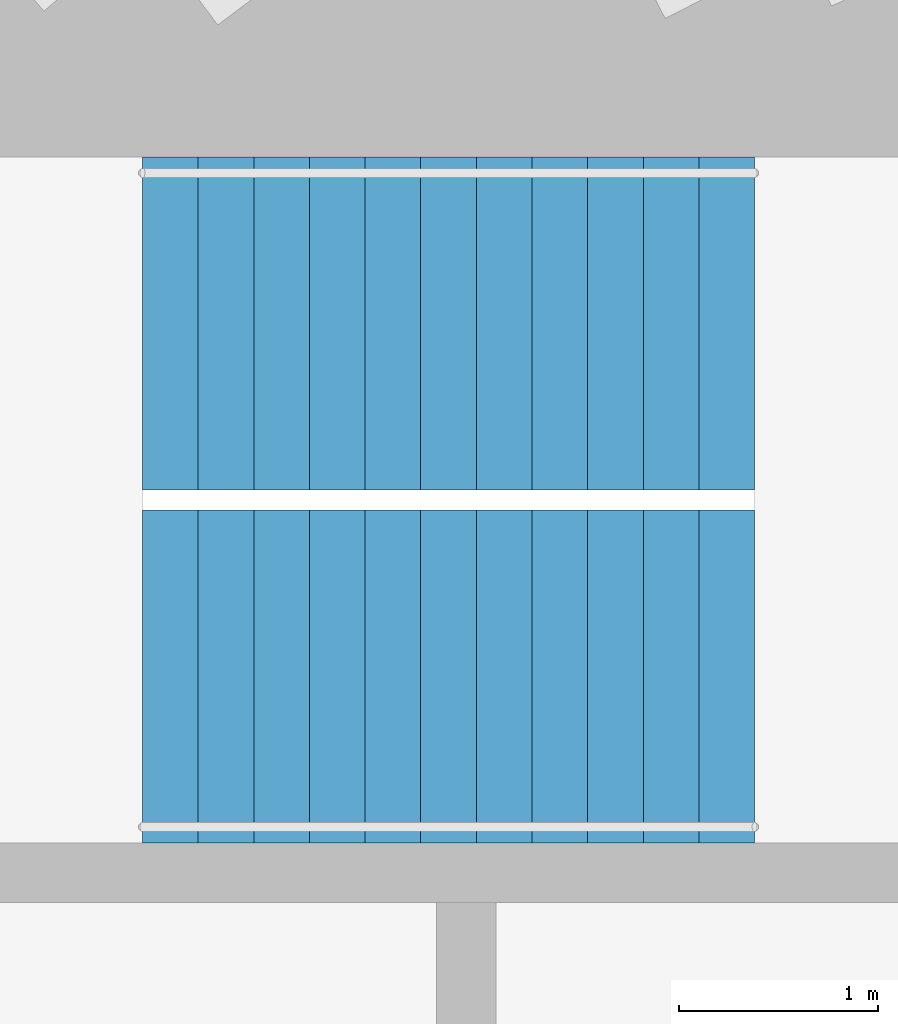
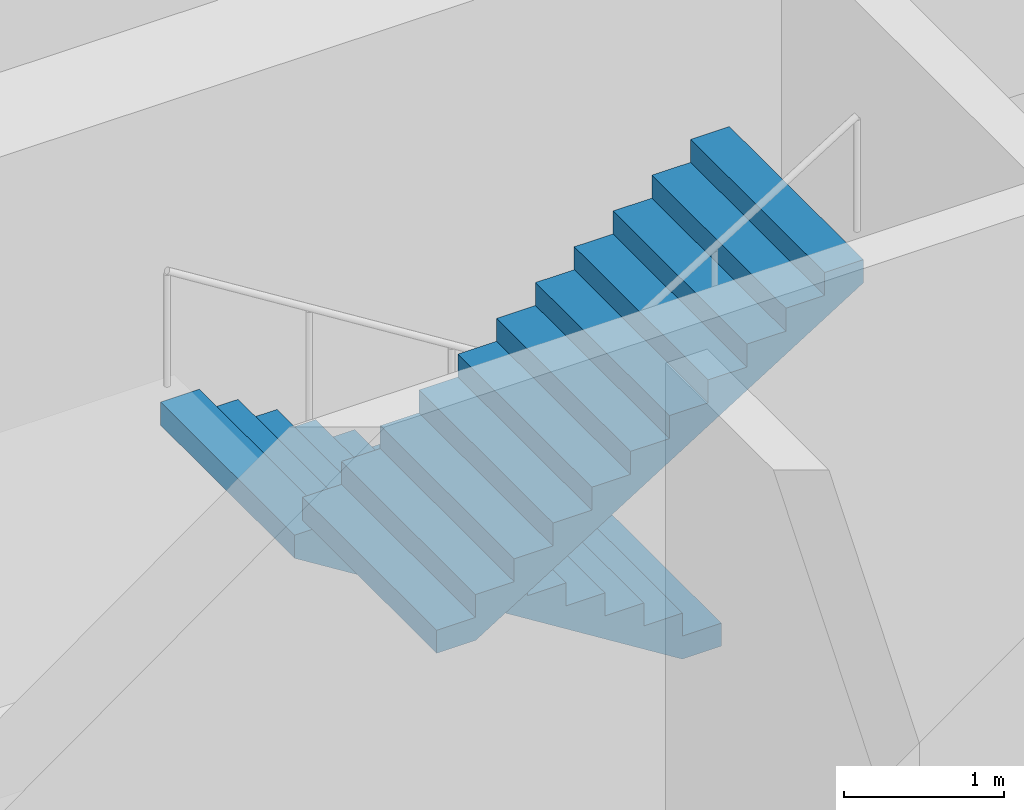
# One storey, part 16 of 17: 2 stair flights, 1 element without a shape of its own.
"""IFC4 building model written with IfcOpenShell, lengths in metres."""

import ifcopenshell
import ifcopenshell.guid

model = None  # the IFC model being written
_history = None  # IfcOwnerHistory: only IFC2X3 demands one
_inside = {}  # id of a spatial element -> (the spatial element, [elements in it])
_under = {}  # id of a project, library or spatial element -> (it, [spatial elements below it])
_declared = {}  # id of a project -> (the project, [libraries it declares])
_typed = {}  # id of a type object -> (the type object, [elements of that type])
_made_of = {}  # id of a material, layer set ... -> (it, [elements and type objects made of it])


def new_model(schema):
    """Start an empty IFC model of exactly this schema.

    Asked for "IFC4X3", IfcOpenShell would pick the latest addendum, in which some entities
    have other attributes; the version numbers below select the first issue.
    IFC2X3 requires an IfcOwnerHistory on every rooted entity: one is made here for all.
    """
    global model, _history
    if schema == "IFC4X3":
        model = ifcopenshell.file(schema_version=(4, 3, 0, 0))
    else:
        model = ifcopenshell.file(schema=schema)
    _inside.clear()
    _under.clear()
    _declared.clear()
    _typed.clear()
    _made_of.clear()
    _history = None
    if model.schema == "IFC2X3":
        org = make("IfcOrganization", Name="unknown")
        user = make(
            "IfcPersonAndOrganization",
            ThePerson=make("IfcPerson", FamilyName="unknown"),
            TheOrganization=org,
        )
        app = make(
            "IfcApplication",
            ApplicationDeveloper=org,
            Version="unknown",
            ApplicationFullName="unknown",
            ApplicationIdentifier="unknown",
        )
        _history = make(
            "IfcOwnerHistory",
            OwningUser=user,
            OwningApplication=app,
            ChangeAction="ADDED",
            CreationDate=0,
        )
    return model


def make(cls, **values):
    """One entity of the class cls with the attributes given. An attribute that is None is left unset."""
    return model.create_entity(
        cls, **{name: value for name, value in values.items() if value is not None}
    )


def rooted(cls, **values):
    """An entity with a GlobalId (a new one), such as an element, a storey or a relation."""
    return make(cls, GlobalId=ifcopenshell.guid.new(), OwnerHistory=_history, **values)


def si_unit(unit_type, name, prefix=None):
    """IfcSIUnit, for example si_unit("LENGTHUNIT", "METRE", prefix="MILLI")."""
    return make("IfcSIUnit", UnitType=unit_type, Prefix=prefix, Name=name)


def assignment(units):
    """IfcUnitAssignment: the units of a project."""
    return None if units is None else make("IfcUnitAssignment", Units=units)


def point(xyz):
    """IfcCartesianPoint."""
    return None if xyz is None else make("IfcCartesianPoint", Coordinates=xyz)


def direction(xyz):
    """IfcDirection."""
    return None if xyz is None else make("IfcDirection", DirectionRatios=xyz)


def frame(location, z_axis=None, x_axis=None):
    """IfcAxis2Placement3D, a coordinate frame: its origin and axes. An axis left out is left unset."""
    return make(
        "IfcAxis2Placement3D",
        Location=point(location),
        Axis=direction(z_axis),
        RefDirection=direction(x_axis),
    )


def origin():
    """The frame at (0, 0, 0) with its axes left unset."""
    return frame((0.0, 0.0, 0.0))


def place(relative_to, where):
    """IfcLocalPlacement: puts the frame where relative to a parent placement (None: the world)."""
    return make(
        "IfcLocalPlacement", PlacementRelTo=relative_to, RelativePlacement=where
    )


def context(
    kind, dimensions, precision=None, world=None, true_north=None, identifier=None
):
    """IfcGeometricRepresentationContext, for example the 3D "Model" context."""
    return make(
        "IfcGeometricRepresentationContext",
        ContextIdentifier=identifier,
        ContextType=kind,
        CoordinateSpaceDimension=dimensions,
        Precision=precision,
        WorldCoordinateSystem=world,
        TrueNorth=true_north,
    )


def subcontext(parent, identifier, kind, view, scale=None):
    """IfcGeometricRepresentationSubContext, for example "Body" below "Model"."""
    return make(
        "IfcGeometricRepresentationSubContext",
        ContextIdentifier=identifier,
        ContextType=kind,
        ParentContext=parent,
        TargetScale=scale,
        TargetView=view,
    )


def project(units=None, contexts=None):
    """IfcProject with its units and contexts."""
    return rooted(
        "IfcProject",
        Name="project",
        RepresentationContexts=contexts,
        UnitsInContext=assignment(units),
    )


def spatial(cls, under=None, at=None, **own):
    """A site, building, storey or space (cls), placed at a placement, below another one or the project."""
    s = rooted(cls, ObjectPlacement=at, **own)
    if under is not None:
        _under.setdefault(under.id(), (under, []))[1].append(s)
    return s


def polyline(points):
    """IfcPolyline through the points."""
    return make("IfcPolyline", Points=[point(p) for p in points])


def outline(outer, holes=None, kind="AREA"):
    """IfcArbitraryClosedProfileDef: a profile drawn as a closed curve; with holes, ...WithVoids."""
    if holes is None:
        return make("IfcArbitraryClosedProfileDef", ProfileType=kind, OuterCurve=outer)
    return make(
        "IfcArbitraryProfileDefWithVoids",
        ProfileType=kind,
        OuterCurve=outer,
        InnerCurves=holes,
    )


def extrude(swept, where, along, depth):
    """IfcExtrudedAreaSolid: the profile swept, set in the frame where, extruded along a direction by depth."""
    return make(
        "IfcExtrudedAreaSolid",
        SweptArea=swept,
        Position=where,
        ExtrudedDirection=direction(along),
        Depth=depth,
    )


def shape(context_of_items, identifier, shape_type, items):
    """IfcShapeRepresentation: the items that make up one representation, for example the "Body"."""
    return make(
        "IfcShapeRepresentation",
        ContextOfItems=context_of_items,
        RepresentationIdentifier=identifier,
        RepresentationType=shape_type,
        Items=items,
    )


def material(Name=None, Category=None):
    """IfcMaterial."""
    return make("IfcMaterial", Name=Name, Category=Category)


def made_of(thing, what):
    """Note that an element or type object is made of a material, layer set ...; save() writes the relation."""
    if what is not None:
        _made_of.setdefault(what.id(), (what, []))[1].append(thing)
    return thing


def type_object(cls, material=None, **own):
    """A type object (cls), such as IfcWallType, which elements share."""
    return made_of(rooted(cls, **own), material)


def element(
    cls,
    number,
    at=None,
    inside=None,
    cuts=None,
    type_object=None,
    material=None,
    context=None,
    identifier="Body",
    shape_type=None,
    held_by="IfcProductDefinitionShape",
    body=None,
    shapes=None,
    **own,
):
    """One element of the class cls, such as IfcWall. Its Tag is "e" and its number.

    at: its placement. inside: the storey or other place that contains it. cuts: it is an
    opening in that element (IfcRelVoidsElement). A single representation is given by context,
    identifier, shape_type and body (its items); several are given by shapes. held_by: the class
    of the entity that holds the representations. save() writes the other relations.
    """
    e = rooted(cls, Tag="e%d" % number, ObjectPlacement=at, **own)
    if body is not None:
        shapes = [shape(context, identifier, shape_type, body)]
    if shapes is not None:
        e.Representation = make(held_by, Representations=shapes)
    if inside is not None:
        _inside.setdefault(inside.id(), (inside, []))[1].append(e)
    if cuts is not None:
        rooted(
            "IfcRelVoidsElement", RelatingBuildingElement=cuts, RelatedOpeningElement=e
        )
    if type_object is not None:
        _typed.setdefault(type_object.id(), (type_object, []))[1].append(e)
    return made_of(e, material)


def aggregate(whole, parts):
    """IfcRelAggregates: a whole, such as a stair, and the parts it consists of."""
    return rooted("IfcRelAggregates", RelatingObject=whole, RelatedObjects=parts)


def save(model, path):
    """Write the relations noted so far, then the file.

    IfcRelAggregates (storeys below a building ...), IfcRelContainedInSpatialStructure (elements
    in a storey), IfcRelDefinesByType, IfcRelAssociatesMaterial and IfcRelDeclares: one each for
    every whole, place, type object, material and project.
    """
    for whole, parts in _under.values():
        aggregate(whole, parts)
    for where, things in _inside.values():
        rooted(
            "IfcRelContainedInSpatialStructure",
            RelatedElements=things,
            RelatingStructure=where,
        )
    for kind, things in _typed.values():
        rooted("IfcRelDefinesByType", RelatedObjects=things, RelatingType=kind)
    for what, things in _made_of.values():
        rooted("IfcRelAssociatesMaterial", RelatedObjects=things, RelatingMaterial=what)
    for by, libraries in _declared.values():
        rooted("IfcRelDeclares", RelatingContext=by, RelatedDefinitions=libraries)
    model.write(path)


model = new_model("IFC4")

# Units and contexts
model_context = context("Model", 3, precision=1e-05, world=origin(), true_north=direction((0.0, 1.0)))
body_context = subcontext(model_context, "Body", "Model", "MODEL_VIEW")
ifc_project = project(units=[si_unit("LENGTHUNIT", "METRE"), si_unit("AREAUNIT", "SQUARE_METRE"), si_unit("VOLUMEUNIT", "CUBIC_METRE"), si_unit("PLANEANGLEUNIT", "RADIAN"), si_unit("MASSUNIT", "GRAM", prefix="KILO")], contexts=[model_context])

# Site, building, storey
site_placement = place(None, origin())
site = spatial("IfcSite", under=ifc_project, at=site_placement, CompositionType="ELEMENT")
building_placement = place(site_placement, origin())
building = spatial("IfcBuilding", under=site, at=building_placement, Name="Qingtian Harvest Tower", CompositionType="ELEMENT")
storey_placement = place(building_placement, frame((0.0, 0.0, 329.199951171875)))
storey = spatial("IfcBuildingStorey", under=building, at=storey_placement, Name="L73", CompositionType="ELEMENT", Elevation=329.199951171875)

# Stair, stair flights
ifc_material_1 = material(Name="Concrete fc' 35 MPa", Category="concrete")
stair_type = type_object("IfcStairType", Name="Special stair ST7 4200", PredefinedType="HALF_TURN_STAIR", material=ifc_material_1)
stair_placement = place(storey_placement, origin())
stair = element("IfcStair", 1, at=stair_placement, inside=storey, type_object=stair_type, Name="Special stair S1 L73", PredefinedType="HALF_TURN_STAIR")
ifc_material_2 = material(Name="Concrete fc' 35 MPa", Category="concrete")
stair_flight_type = type_object("IfcStairFlightType", Name="Stair flight SF7 4200", PredefinedType="STRAIGHT", material=ifc_material_2)
stair_flight_1_placement = place(storey_placement, frame((-4.550048828125, 7.762451171875, 0.0), z_axis=(0.0, 0.0, 1.0), x_axis=(-1.0, 0.0, 0.0)))
stair_flight_1 = element("IfcStairFlight", 2, at=stair_flight_1_placement, type_object=stair_flight_type, Name="S1 flight 1", NumberOfRisers=12, NumberOfTreads=11, PredefinedType="STRAIGHT", RiserHeight=0.175, TreadLength=0.28, context=body_context, shape_type="SweptSolid", body=[
    extrude(outline(polyline([(0.0, 0.0), (0.0, 0.175048828125), (0.280029296875, 0.175048828125), (0.280029296875, 0.35009765625), (0.56005859375, 0.35009765625), (0.56005859375, 0.52490234375), (0.840087890625, 0.52490234375), (0.840087890625, 0.699951171875), (1.1201171875, 0.699951171875), (1.1201171875, 0.875), (1.39990234375, 0.875), (1.39990234375, 1.050048828125), (1.679931640625, 1.050048828125), (1.679931640625, 1.22509765625), (1.9599609375, 1.22509765625), (1.9599609375, 1.39990234375), (2.239990234375, 1.39990234375), (2.239990234375, 1.574951171875), (2.52001953125, 1.574951171875), (2.52001953125, 1.75), (2.800048828125, 1.75), (2.800048828125, 1.925048828125), (3.080078125, 1.925048828125), (3.080078125, 2.10009765625), (3.080078125, 1.748291015625), (0.28271484375, 0.0), (0.0, 0.0)])), frame((0.0, 0.83740234375, 0.0), z_axis=(0.0, -1.0, 0.0), x_axis=(1.0, 0.0, 0.0)), (0.0, 0.0, 1.0), 1.675048828125),
])
stair_flight_2_placement = place(storey_placement, frame((-7.6298828125, 5.987548828125, 2.10009765625), z_axis=(0.0, 0.0, 1.0), x_axis=(1.0, 0.0, 0.0)))
stair_flight_2 = element("IfcStairFlight", 3, at=stair_flight_2_placement, type_object=stair_flight_type, Name="S1 flight 2", NumberOfRisers=12, NumberOfTreads=11, PredefinedType="STRAIGHT", RiserHeight=0.175, TreadLength=0.28, context=body_context, shape_type="SweptSolid", body=[
    extrude(outline(polyline([(0.0, 0.0), (0.0, 0.175048828125), (0.280029296875, 0.175048828125), (0.280029296875, 0.35009765625), (0.56005859375, 0.35009765625), (0.56005859375, 0.52490234375), (0.840087890625, 0.52490234375), (0.840087890625, 0.699951171875), (1.1201171875, 0.699951171875), (1.1201171875, 0.875), (1.39990234375, 0.875), (1.39990234375, 1.050048828125), (1.679931640625, 1.050048828125), (1.679931640625, 1.22509765625), (1.9599609375, 1.22509765625), (1.9599609375, 1.39990234375), (2.239990234375, 1.39990234375), (2.239990234375, 1.574951171875), (2.52001953125, 1.574951171875), (2.52001953125, 1.75), (2.800048828125, 1.75), (2.800048828125, 1.925048828125), (3.080078125, 1.925048828125), (3.080078125, 2.10009765625), (3.080078125, 1.748291015625), (0.28271484375, 0.0), (0.0, 0.0)])), frame((0.0, 0.83740234375, 0.0), z_axis=(0.0, -1.0, 0.0), x_axis=(1.0, 0.0, 0.0)), (0.0, 0.0, 1.0), 1.675048828125),
])
aggregate(stair, [stair_flight_1, stair_flight_2])

save(model, "model.ifc")
